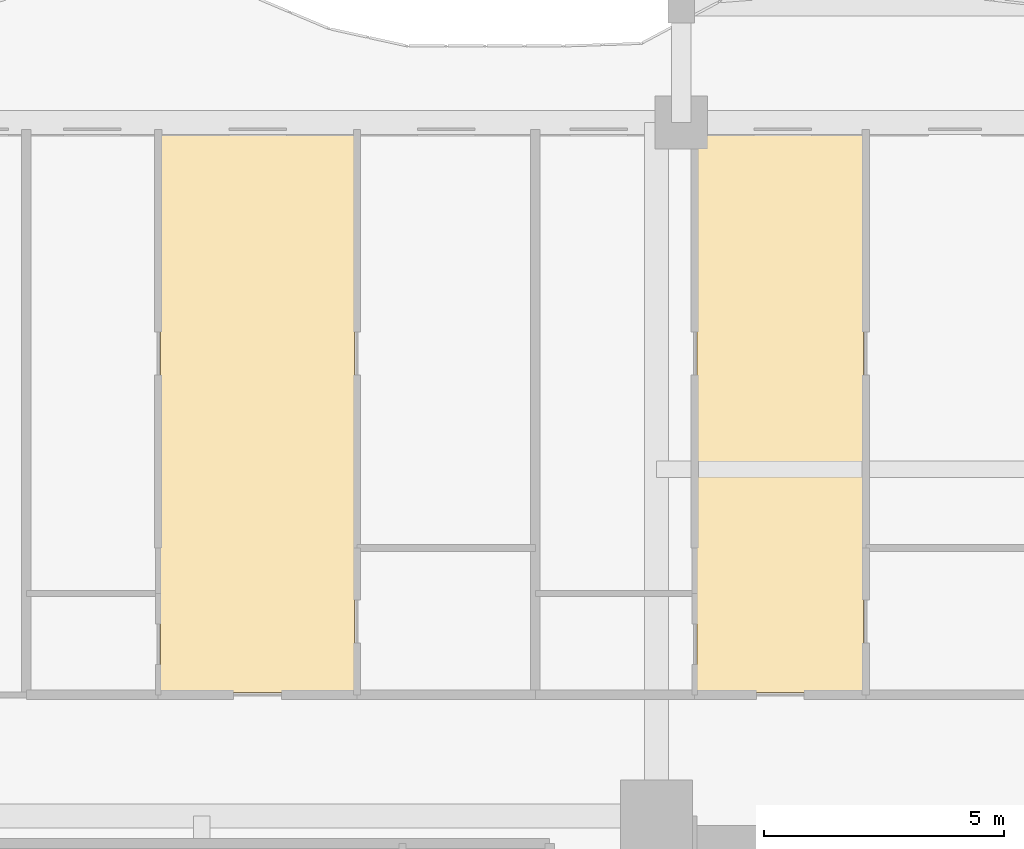
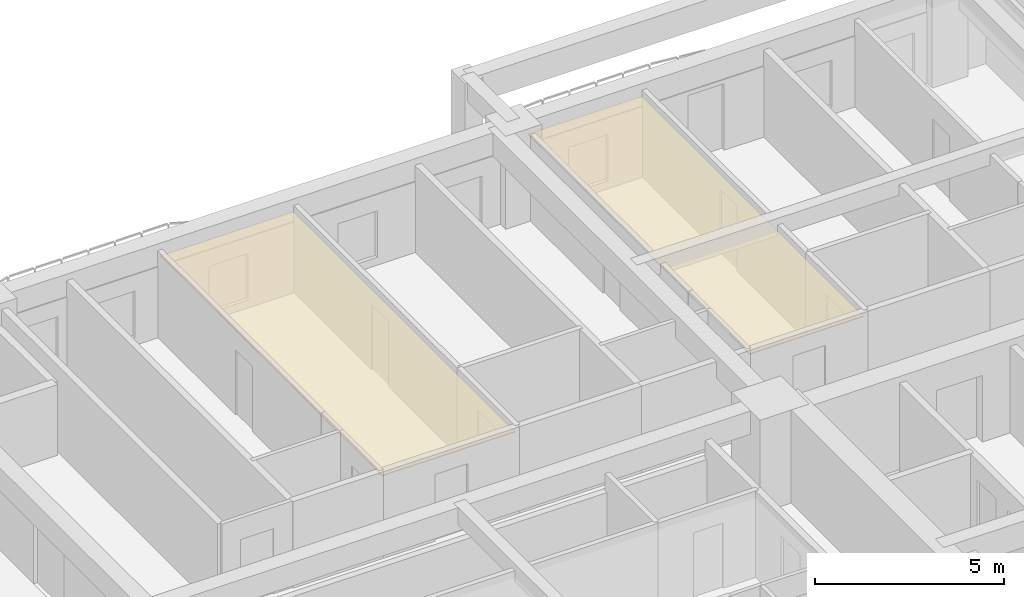
# One storey, part 15 of 16: 2 coverings.
"""IFC4 building model written with IfcOpenShell, lengths in metres."""

from ifc_helpers import new_model, si_unit, direction, frame, origin, place, context, subcontext, project, spatial, polyline, outline, extrude, material, layer, layer_set, type_object, element, save


model = new_model("IFC4")

# Units and contexts
model_context = context("Model", 3, precision=1e-05, world=origin(), true_north=direction((0.0, 1.0)))
body_context = subcontext(model_context, "Body", "Model", "MODEL_VIEW")
ifc_project = project(units=[si_unit("LENGTHUNIT", "METRE"), si_unit("AREAUNIT", "SQUARE_METRE"), si_unit("VOLUMEUNIT", "CUBIC_METRE"), si_unit("PLANEANGLEUNIT", "RADIAN"), si_unit("MASSUNIT", "GRAM", prefix="KILO")], contexts=[model_context])

# Site, building, storey
site_placement = place(None, origin())
site = spatial("IfcSite", under=ifc_project, at=site_placement, CompositionType="ELEMENT")
building_placement = place(site_placement, origin())
building = spatial("IfcBuilding", under=site, at=building_placement, Name="Saelheon Loggia Tower", CompositionType="ELEMENT")
storey_placement = place(building_placement, frame((0.0, 0.0, 64.39990234375)))
storey = spatial("IfcBuildingStorey", under=building, at=storey_placement, Name="L20", CompositionType="ELEMENT", Elevation=64.39990234375)

# Coverings
ifc_material = material(Name="Mineral-Fibre Acoustic Ceiling Board", Category="gypsum")
ifc_layer = layer(ifc_material, 0.02490234375)
ifc_layer_set = layer_set([ifc_layer], Name="Mineral-Fibre Acoustic Ceiling Board")
covering_type = type_object("IfcCoveringType", Name="Cov_Ceiling_Acoustic", PredefinedType="CEILING", material=ifc_layer_set)
covering_1_placement = place(storey_placement, frame((0.0, 0.0, 2.53515625)))
element("IfcCovering", 1, at=covering_1_placement, inside=storey, type_object=covering_type, Name="L20 Acoustic Suspended Ceiling", PredefinedType="CEILING", context=body_context, shape_type="SweptSolid", body=[
    extrude(outline(polyline([(20.6298828125, 39.10009765625), (24.6796875, 39.10009765625), (24.6796875, 50.800048828125), (20.6298828125, 50.800048828125), (20.6298828125, 39.10009765625)])), origin(), (0.0, 0.0, 1.0), 0.02490234375),
])
covering_2_placement = place(storey_placement, frame((0.0, 0.0, 2.53515625)))
element("IfcCovering", 2, at=covering_2_placement, inside=storey, type_object=covering_type, Name="L20 Acoustic Suspended Ceiling", PredefinedType="CEILING", context=body_context, shape_type="SweptSolid", body=[
    extrude(outline(polyline([(31.830078125, 39.10009765625), (35.30224609375, 39.10009765625), (35.30224609375, 50.800048828125), (31.830078125, 50.800048828125), (31.830078125, 39.10009765625)])), origin(), (0.0, 0.0, 1.0), 0.02490234375),
])

save(model, "model.ifc")
